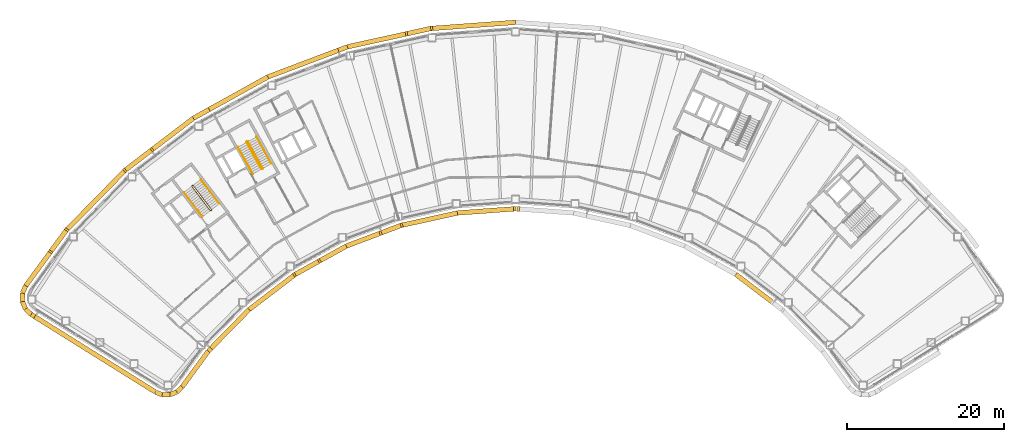
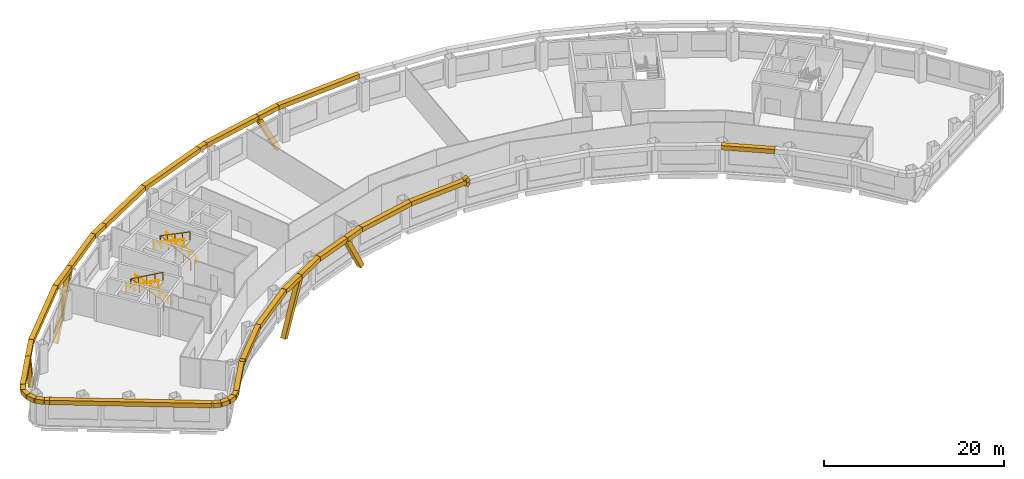
# One storey, part 11 of 13: 40 coverings, 6 railings.
"""IFC4 building model written with IfcOpenShell, lengths in metres."""

from ifc_helpers import new_model, si_unit, direction, frame, origin, origin_2d, place, context, subcontext, project, spatial, rectangle, circle, extrude, material, material_profile, profile_set, type_object, element, save


model = new_model("IFC4")

# Units and contexts
model_context = context("Model", 3, precision=1e-05, world=origin(), true_north=direction((0.0, 1.0)))
body_context = subcontext(model_context, "Body", "Model", "MODEL_VIEW")
ifc_project = project(units=[si_unit("LENGTHUNIT", "METRE"), si_unit("AREAUNIT", "SQUARE_METRE"), si_unit("VOLUMEUNIT", "CUBIC_METRE"), si_unit("PLANEANGLEUNIT", "RADIAN"), si_unit("MASSUNIT", "GRAM", prefix="KILO")], contexts=[model_context])

# Site, building, storey
site_placement = place(None, origin())
site = spatial("IfcSite", under=ifc_project, at=site_placement, CompositionType="ELEMENT")
building_placement = place(site_placement, origin())
building = spatial("IfcBuilding", under=site, at=building_placement, Name="Tuul Gate Civic Tower", CompositionType="ELEMENT")
storey_placement = place(building_placement, frame((0.0, 0.0, 150.800048828125)))
storey = spatial("IfcBuildingStorey", under=building, at=storey_placement, Name="Level 34", CompositionType="ELEMENT", Elevation=150.800048828125)

# Railings
ifc_material_1 = material(Name="Painted steel", Category="steel")
railing_type_1 = type_object("IfcRailingType", Name="Stair guard", PredefinedType="GUARDRAIL", material=ifc_material_1)
railing_1_placement = place(storey_placement, frame((-33.382080078125, -13.515380859375, 0.0)))
element("IfcRailing", 1, at=railing_1_placement, inside=storey, type_object=railing_type_1, Name="Level 34 ST-1 stair guard 1", PredefinedType="GUARDRAIL", context=body_context, shape_type="SweptSolid", body=[
    extrude(circle(Radius=0.02392578125, at=origin_2d()), frame((0.0, 0.0, 1.076171875), z_axis=(-0.795879841968, -0.605454603706, 0.0), x_axis=(0.605454603706, -0.795879841968, 0.0)), (0.0, 0.0, 1.0), 0.10009765625),
    extrude(circle(Radius=0.02392578125, at=origin_2d()), frame((-0.07958984375, -0.060546875, 1.076171875), z_axis=(0.408991890351, 0.599481263939, 0.688002796371), x_axis=(-0.826063974707, 0.563576356576, 0.0)), (0.0, 0.0, 1.0), 0.2177734375),
    extrude(circle(Radius=0.02392578125, at=origin_2d()), frame((0.009521484375, 0.070068359375, 1.22607421875), z_axis=(-0.541824460341, 0.711645023348, 0.447199748346), x_axis=(-0.795637165283, -0.60577347352, 0.0)), (0.0, 0.0, 1.0), 4.3603515625),
    extrude(circle(Radius=0.02392578125, at=origin_2d()), frame((-2.35302734375, 3.173095703125, 3.17578125), z_axis=(-0.990893089246, 0.134650977284, 0.0), x_axis=(-0.134650977284, -0.990893089246, 0.0)), (0.0, 0.0, 1.0), 0.07080078125),
    extrude(circle(Radius=0.02392578125, at=origin_2d()), frame((-2.423095703125, 3.1826171875, 3.17578125), z_axis=(-0.793802879778, -0.60817512943, 0.0), x_axis=(0.60817512943, -0.793802879778, 0.0)), (0.0, 0.0, 1.0), 0.099853515625),
    extrude(circle(Radius=0.02392578125, at=origin_2d()), frame((-2.50244140625, 3.121826171875, 3.17578125), z_axis=(-0.057370624079, -0.422188951554, 0.904690610473), x_axis=(0.990893089246, -0.134650977284, 0.0)), (0.0, 0.0, 1.0), 0.166015625),
    extrude(circle(Radius=0.02392578125, at=origin_2d()), frame((-2.511962890625, 3.0517578125, 3.326171875), z_axis=(0.541806494602, -0.71163897684, 0.447231136047), x_axis=(0.795644365679, 0.605764016233, 0.0)), (0.0, 0.0, 1.0), 4.360107421875),
    extrude(circle(Radius=0.02099609375, at=origin_2d()), origin(), (0.0, 0.0, 1.0), 1.052001953125),
    extrude(circle(Radius=0.02099609375, at=origin_2d()), frame((-0.07958984375, -0.060546875, 0.0)), (0.0, 0.0, 1.0), 1.052001953125),
    extrude(circle(Radius=0.02099609375, at=origin_2d()), frame((0.009521484375, 0.070068359375, 0.14990234375)), (0.0, 0.0, 1.0), 1.052001953125),
    extrude(circle(Radius=0.02099609375, at=origin_2d()), frame((-0.5810546875, 0.845703125, 0.637451171875)), (0.0, 0.0, 1.0), 1.052001953125),
    extrude(circle(Radius=0.02099609375, at=origin_2d()), frame((-1.171875, 1.62158203125, 1.125)), (0.0, 0.0, 1.0), 1.052001953125),
    extrude(circle(Radius=0.02099609375, at=origin_2d()), frame((-1.762451171875, 2.3974609375, 1.6123046875)), (0.0, 0.0, 1.0), 1.052001953125),
    extrude(circle(Radius=0.02099609375, at=origin_2d()), frame((-2.35302734375, 3.173095703125, 2.099853515625)), (0.0, 0.0, 1.0), 1.052001953125),
    extrude(circle(Radius=0.02099609375, at=origin_2d()), frame((-2.423095703125, 3.1826171875, 2.099853515625)), (0.0, 0.0, 1.0), 1.052001953125),
    extrude(circle(Radius=0.02099609375, at=origin_2d()), frame((-2.50244140625, 3.121826171875, 2.099853515625)), (0.0, 0.0, 1.0), 1.052001953125),
    extrude(circle(Radius=0.02099609375, at=origin_2d()), frame((-2.511962890625, 3.0517578125, 2.25)), (0.0, 0.0, 1.0), 1.052001953125),
    extrude(circle(Radius=0.02099609375, at=origin_2d()), frame((-1.92138671875, 2.276123046875, 2.737548828125)), (0.0, 0.0, 1.0), 1.052001953125),
    extrude(circle(Radius=0.02099609375, at=origin_2d()), frame((-1.330810546875, 1.50048828125, 3.22509765625)), (0.0, 0.0, 1.0), 1.052001953125),
    extrude(circle(Radius=0.02099609375, at=origin_2d()), frame((-0.740234375, 0.724609375, 3.71240234375)), (0.0, 0.0, 1.0), 1.052001953125),
    extrude(circle(Radius=0.02099609375, at=origin_2d()), frame((-0.149658203125, -0.051025390625, 4.199951171875)), (0.0, 0.0, 1.0), 1.052001953125),
])
railing_2_placement = place(storey_placement, frame((-26.857666015625, -8.247314453125, 0.0)))
element("IfcRailing", 2, at=railing_2_placement, inside=storey, type_object=railing_type_1, Name="Level 34 ST-2 stair guard 1", PredefinedType="GUARDRAIL", context=body_context, shape_type="SweptSolid", body=[
    extrude(circle(Radius=0.02392578125, at=origin_2d()), frame((0.0, 0.0, 1.076171875), z_axis=(-0.874616555828, -0.48481530532, 0.0), x_axis=(0.48481530532, -0.874616555828, 0.0)), (0.0, 0.0, 1.0), 0.10009765625),
    extrude(circle(Radius=0.02392578125, at=origin_2d()), frame((-0.087646484375, -0.048583984375, 1.076171875), z_axis=(0.49081399482, 0.534516610797, 0.688036056665), x_axis=(-0.736576986774, 0.676353711126, 0.0)), (0.0, 0.0, 1.0), 0.2177734375),
    extrude(circle(Radius=0.02392578125, at=origin_2d()), frame((0.019287109375, 0.06787109375, 1.22607421875), z_axis=(-0.43354991378, 0.782327185242, 0.447212083348), x_axis=(-0.874667644053, -0.484723129681, 0.0)), (0.0, 0.0, 1.0), 4.3603515625),
    extrude(circle(Radius=0.02392578125, at=origin_2d()), frame((-1.87109375, 3.47900390625, 3.17578125), z_axis=(-0.961263487578, 0.275631107549, 0.0), x_axis=(-0.275631107549, -0.961263487578, 0.0)), (0.0, 0.0, 1.0), 0.07080078125),
    extrude(circle(Radius=0.02392578125, at=origin_2d()), frame((-1.939208984375, 3.49853515625, 3.17578125), z_axis=(-0.874042088414, -0.485850211157, 0.0), x_axis=(0.485850211157, -0.874042088414, 0.0)), (0.0, 0.0, 1.0), 0.10009765625),
    extrude(circle(Radius=0.02392578125, at=origin_2d()), frame((-2.026611328125, 3.449951171875, 3.17578125), z_axis=(-0.117709570447, -0.409040757305, 0.904892322815), x_axis=(0.961000426733, -0.276546885391, 0.0)), (0.0, 0.0, 1.0), 0.166015625),
    extrude(circle(Radius=0.02392578125, at=origin_2d()), frame((-2.046142578125, 3.382080078125, 3.326171875), z_axis=(0.433595379963, -0.782308193291, 0.447201226726), x_axis=(0.874641102302, 0.484771020343, 0.0)), (0.0, 0.0, 1.0), 4.3603515625),
    extrude(circle(Radius=0.02099609375, at=origin_2d()), origin(), (0.0, 0.0, 1.0), 1.052001953125),
    extrude(circle(Radius=0.02099609375, at=origin_2d()), frame((-0.087646484375, -0.048583984375, 0.0)), (0.0, 0.0, 1.0), 1.052001953125),
    extrude(circle(Radius=0.02099609375, at=origin_2d()), frame((0.019287109375, 0.06787109375, 0.14990234375)), (0.0, 0.0, 1.0), 1.052001953125),
    extrude(circle(Radius=0.02099609375, at=origin_2d()), frame((-0.453369140625, 0.920654296875, 0.637451171875)), (0.0, 0.0, 1.0), 1.052001953125),
    extrude(circle(Radius=0.02099609375, at=origin_2d()), frame((-0.92578125, 1.7734375, 1.125)), (0.0, 0.0, 1.0), 1.052001953125),
    extrude(circle(Radius=0.02099609375, at=origin_2d()), frame((-1.3984375, 2.626220703125, 1.6123046875)), (0.0, 0.0, 1.0), 1.052001953125),
    extrude(circle(Radius=0.02099609375, at=origin_2d()), frame((-1.87109375, 3.47900390625, 2.099853515625)), (0.0, 0.0, 1.0), 1.052001953125),
    extrude(circle(Radius=0.02099609375, at=origin_2d()), frame((-1.939208984375, 3.49853515625, 2.099853515625)), (0.0, 0.0, 1.0), 1.052001953125),
    extrude(circle(Radius=0.02099609375, at=origin_2d()), frame((-2.026611328125, 3.449951171875, 2.099853515625)), (0.0, 0.0, 1.0), 1.052001953125),
    extrude(circle(Radius=0.02099609375, at=origin_2d()), frame((-2.046142578125, 3.382080078125, 2.25)), (0.0, 0.0, 1.0), 1.052001953125),
    extrude(circle(Radius=0.02099609375, at=origin_2d()), frame((-1.573486328125, 2.529296875, 2.737548828125)), (0.0, 0.0, 1.0), 1.052001953125),
    extrude(circle(Radius=0.02099609375, at=origin_2d()), frame((-1.100830078125, 1.676513671875, 3.22509765625)), (0.0, 0.0, 1.0), 1.052001953125),
    extrude(circle(Radius=0.02099609375, at=origin_2d()), frame((-0.628173828125, 0.82373046875, 3.71240234375)), (0.0, 0.0, 1.0), 1.052001953125),
    extrude(circle(Radius=0.02099609375, at=origin_2d()), frame((-0.155517578125, -0.029052734375, 4.199951171875)), (0.0, 0.0, 1.0), 1.052001953125),
])
ifc_material_2 = material(Name="Painted steel", Category="steel")
railing_type_2 = type_object("IfcRailingType", Name="Stair handrail", PredefinedType="HANDRAIL", material=ifc_material_2)
railing_3_placement = place(storey_placement, frame((-32.3779296875, -12.688232421875, 0.14990234375)))
element("IfcRailing", 3, at=railing_3_placement, inside=storey, type_object=railing_type_2, Name="Level 34 ST-1 stair handrail 1", PredefinedType="HANDRAIL", context=body_context, shape_type="SweptSolid", body=[
    extrude(circle(Radius=0.02392578125, at=origin_2d()), frame((0.0, 0.0, 0.8759765625), z_axis=(-0.541824460341, 0.711645023348, 0.447199748346), x_axis=(-0.795637165283, -0.60577347352, 0.0)), (0.0, 0.0, 1.0), 4.3603515625),
    extrude(circle(Radius=0.02099609375, at=origin_2d()), origin(), (0.0, 0.0, 1.0), 0.851806640625),
    extrude(circle(Radius=0.02099609375, at=origin_2d()), frame((-0.590576171875, 0.77587890625, 0.487548828125)), (0.0, 0.0, 1.0), 0.851806640625),
    extrude(circle(Radius=0.02099609375, at=origin_2d()), frame((-1.18115234375, 1.551513671875, 0.97509765625)), (0.0, 0.0, 1.0), 0.851806640625),
    extrude(circle(Radius=0.02099609375, at=origin_2d()), frame((-1.77197265625, 2.3271484375, 1.46240234375)), (0.0, 0.0, 1.0), 0.851806640625),
    extrude(circle(Radius=0.02099609375, at=origin_2d()), frame((-2.362548828125, 3.10302734375, 1.949951171875)), (0.0, 0.0, 1.0), 0.851806640625),
])
railing_4_placement = place(storey_placement, frame((-36.888671875, -11.220703125, 2.25)))
element("IfcRailing", 4, at=railing_4_placement, inside=storey, type_object=railing_type_2, Name="Level 34 ST-1 stair handrail 2", PredefinedType="HANDRAIL", context=body_context, shape_type="SweptSolid", body=[
    extrude(circle(Radius=0.02392578125, at=origin_2d()), frame((0.0, 0.0, 0.8759765625), z_axis=(0.541824460341, -0.711645023348, 0.447199748346), x_axis=(0.795637165283, 0.60577347352, 0.0)), (0.0, 0.0, 1.0), 4.3603515625),
    extrude(circle(Radius=0.02099609375, at=origin_2d()), origin(), (0.0, 0.0, 1.0), 0.851806640625),
    extrude(circle(Radius=0.02099609375, at=origin_2d()), frame((0.590576171875, -0.77587890625, 0.487548828125)), (0.0, 0.0, 1.0), 0.851806640625),
    extrude(circle(Radius=0.02099609375, at=origin_2d()), frame((1.18115234375, -1.551513671875, 0.97509765625)), (0.0, 0.0, 1.0), 0.851806640625),
    extrude(circle(Radius=0.02099609375, at=origin_2d()), frame((1.77197265625, -2.3271484375, 1.46240234375)), (0.0, 0.0, 1.0), 0.851806640625),
    extrude(circle(Radius=0.02099609375, at=origin_2d()), frame((2.362548828125, -3.10302734375, 1.949951171875)), (0.0, 0.0, 1.0), 0.851806640625),
])
railing_5_placement = place(storey_placement, frame((-25.744873046875, -7.573486328125, 0.14990234375)))
element("IfcRailing", 5, at=railing_5_placement, inside=storey, type_object=railing_type_2, Name="Level 34 ST-2 stair handrail 1", PredefinedType="HANDRAIL", context=body_context, shape_type="SweptSolid", body=[
    extrude(circle(Radius=0.02392578125, at=origin_2d()), frame((0.0, 0.0, 0.8759765625), z_axis=(-0.433595379963, 0.782308193291, 0.447201226726), x_axis=(-0.874641102302, -0.484771020343, 0.0)), (0.0, 0.0, 1.0), 4.3603515625),
    extrude(circle(Radius=0.02099609375, at=origin_2d()), origin(), (0.0, 0.0, 1.0), 0.851806640625),
    extrude(circle(Radius=0.02099609375, at=origin_2d()), frame((-0.47265625, 0.852783203125, 0.487548828125)), (0.0, 0.0, 1.0), 0.851806640625),
    extrude(circle(Radius=0.02099609375, at=origin_2d()), frame((-0.9453125, 1.70556640625, 0.97509765625)), (0.0, 0.0, 1.0), 0.851806640625),
    extrude(circle(Radius=0.02099609375, at=origin_2d()), frame((-1.41796875, 2.558349609375, 1.46240234375)), (0.0, 0.0, 1.0), 0.851806640625),
    extrude(circle(Radius=0.02099609375, at=origin_2d()), frame((-1.890625, 3.4111328125, 1.949951171875)), (0.0, 0.0, 1.0), 0.851806640625),
])
railing_6_placement = place(storey_placement, frame((-29.9970703125, -5.47119140625, 2.25)))
element("IfcRailing", 6, at=railing_6_placement, inside=storey, type_object=railing_type_2, Name="Level 34 ST-2 stair handrail 2", PredefinedType="HANDRAIL", context=body_context, shape_type="SweptSolid", body=[
    extrude(circle(Radius=0.02392578125, at=origin_2d()), frame((0.0, 0.0, 0.8759765625), z_axis=(0.433595379963, -0.782308193291, 0.447201226726), x_axis=(0.874641102302, 0.484771020343, 0.0)), (0.0, 0.0, 1.0), 4.3603515625),
    extrude(circle(Radius=0.02099609375, at=origin_2d()), origin(), (0.0, 0.0, 1.0), 0.851806640625),
    extrude(circle(Radius=0.02099609375, at=origin_2d()), frame((0.47265625, -0.852783203125, 0.487548828125)), (0.0, 0.0, 1.0), 0.851806640625),
    extrude(circle(Radius=0.02099609375, at=origin_2d()), frame((0.9453125, -1.70556640625, 0.97509765625)), (0.0, 0.0, 1.0), 0.851806640625),
    extrude(circle(Radius=0.02099609375, at=origin_2d()), frame((1.41796875, -2.558349609375, 1.46240234375)), (0.0, 0.0, 1.0), 0.851806640625),
    extrude(circle(Radius=0.02099609375, at=origin_2d()), frame((1.890625, -3.4111328125, 1.949951171875)), (0.0, 0.0, 1.0), 0.851806640625),
])

# Coverings
ifc_material_3 = material(Name="Terracotta baguette", Category="masonry")
ifc_material_profile = material_profile(ifc_material_3, rectangle(XDim=0.60009765625, YDim=0.60009765625, at=origin_2d()), Name="Terracotta baguette screen frame")
ifc_profile_set = profile_set([ifc_material_profile], Name="Terracotta baguette")
covering_type = type_object("IfcCoveringType", Name="Terracotta baguette screen frame", PredefinedType="CLADDING", material=ifc_profile_set)
covering_1_placement = place(storey_placement, frame((-5.448486328125, 9.651123046875, -1.755859375), z_axis=(-0.46403186969, -0.102279383946, 0.879893943343), x_axis=(0.21524792572, -0.976559435198, 0.0)))
element("IfcCovering", 7, at=covering_1_placement, inside=storey, type_object=covering_type, Name="Baguette 82", PredefinedType="CLADDING", context=body_context, shape_type="SweptSolid", body=[
    extrude(rectangle(XDim=0.60009765625, YDim=0.60009765625, at=origin_2d()), origin(), (0.0, 0.0, 1.0), 6.370849609375),
])
covering_2_placement = place(storey_placement, frame((-8.40478515625, 8.99951171875, 3.849853515625), z_axis=(-0.97656661245, -0.215215360623, 0.0), x_axis=(0.215215360623, -0.97656661245, 0.0)))
element("IfcCovering", 8, at=covering_2_placement, inside=storey, type_object=covering_type, Name="Baguette 89", PredefinedType="CLADDING", context=body_context, shape_type="SweptSolid", body=[
    extrude(rectangle(XDim=0.60009765625, YDim=0.60009765625, at=origin_2d()), origin(), (0.0, 0.0, 1.0), 7.823974609375),
])
covering_3_placement = place(storey_placement, frame((-16.04541015625, 7.315673828125, 3.849853515625), z_axis=(-0.935336979546, -0.353758017144, 0.0), x_axis=(0.353758017144, -0.935336979546, 0.0)))
element("IfcCovering", 9, at=covering_3_placement, inside=storey, type_object=covering_type, Name="Baguette 90", PredefinedType="CLADDING", context=body_context, shape_type="SweptSolid", body=[
    extrude(rectangle(XDim=0.60009765625, YDim=0.60009765625, at=origin_2d()), origin(), (0.0, 0.0, 1.0), 1.24853515625),
])
covering_4_placement = place(storey_placement, frame((-33.666259765625, -0.663818359375, 3.849853515625), z_axis=(-0.874610686965, -0.484825892714, 0.0), x_axis=(0.484825892714, -0.874610686965, 0.0)))
element("IfcCovering", 10, at=covering_4_placement, inside=storey, type_object=covering_type, Name="Baguette 107", PredefinedType="CLADDING", context=body_context, shape_type="SweptSolid", body=[
    extrude(rectangle(XDim=0.60009765625, YDim=0.60009765625, at=origin_2d()), origin(), (0.0, 0.0, 1.0), 2.309326171875),
])
covering_5_placement = place(storey_placement, frame((-35.68603515625, -1.783447265625, 3.849853515625), z_axis=(-0.795612332885, -0.60580608759, 0.0), x_axis=(0.60580608759, -0.795612332885, 0.0)))
element("IfcCovering", 11, at=covering_5_placement, inside=storey, type_object=covering_type, Name="Baguette 108", PredefinedType="CLADDING", context=body_context, shape_type="SweptSolid", body=[
    extrude(rectangle(XDim=0.60009765625, YDim=0.60009765625, at=origin_2d()), origin(), (0.0, 0.0, 1.0), 6.76318359375),
])
covering_6_placement = place(storey_placement, frame((-41.06689453125, -5.880615234375, 3.849853515625), z_axis=(-0.378058377927, -0.287849897598, -0.879894481931), x_axis=(0.605784088949, -0.795629082913, 0.0)))
element("IfcCovering", 12, at=covering_6_placement, inside=storey, type_object=covering_type, Name="Baguette 111", PredefinedType="CLADDING", context=body_context, shape_type="SweptSolid", body=[
    extrude(rectangle(XDim=0.60009765625, YDim=0.60009765625, at=origin_2d()), origin(), (0.0, 0.0, 1.0), 8.603759765625),
])
covering_7_placement = place(storey_placement, frame((-51.91552734375, -16.105712890625, -2.086669921875), z_axis=(-0.281344187789, -0.385257926213, 0.878875291659), x_axis=(0.807581260464, -0.589756312173, 0.0)))
element("IfcCovering", 13, at=covering_7_placement, inside=storey, type_object=covering_type, Name="Baguette 124", PredefinedType="CLADDING", context=body_context, shape_type="SweptSolid", body=[
    extrude(rectangle(XDim=0.60009765625, YDim=0.60009765625, at=origin_2d()), origin(), (0.0, 0.0, 1.0), 6.754638671875),
])
covering_8_placement = place(storey_placement, frame((-53.81591796875, -18.7080078125, 3.849853515625), z_axis=(-0.589768947731, -0.807572032881, 0.0), x_axis=(0.807572032881, -0.589768947731, 0.0)))
element("IfcCovering", 14, at=covering_8_placement, inside=storey, type_object=covering_type, Name="Baguette 135", PredefinedType="CLADDING", context=body_context, shape_type="SweptSolid", body=[
    extrude(rectangle(XDim=0.60009765625, YDim=0.60009765625, at=origin_2d()), origin(), (0.0, 0.0, 1.0), 5.5126953125),
])
covering_9_placement = place(storey_placement, frame((-57.067138671875, -23.159912109375, 3.849853515625), z_axis=(-0.413393330634, -0.910552554325, 0.0), x_axis=(0.910552554325, -0.413393330634, 0.0)))
element("IfcCovering", 15, at=covering_9_placement, inside=storey, type_object=covering_type, Name="Baguette 136", PredefinedType="CLADDING", context=body_context, shape_type="SweptSolid", body=[
    extrude(rectangle(XDim=0.60009765625, YDim=0.60009765625, at=origin_2d()), origin(), (0.0, 0.0, 1.0), 0.988037109375),
])
covering_10_placement = place(storey_placement, frame((-57.4755859375, -24.0595703125, 3.849853515625), z_axis=(-0.014633694716, -0.999892921757, 0.0), x_axis=(0.999892921757, -0.014633694716, 0.0)))
element("IfcCovering", 16, at=covering_10_placement, inside=storey, type_object=covering_type, Name="Baguette 137", PredefinedType="CLADDING", context=body_context, shape_type="SweptSolid", body=[
    extrude(rectangle(XDim=0.60009765625, YDim=0.60009765625, at=origin_2d()), origin(), (0.0, 0.0, 1.0), 1.067626953125),
])
covering_11_placement = place(storey_placement, frame((-57.4912109375, -25.127197265625, 3.849853515625), z_axis=(0.385784883999, -0.922588761734, 0.0), x_axis=(0.922588761734, 0.385784883999, 0.0)))
element("IfcCovering", 17, at=covering_11_placement, inside=storey, type_object=covering_type, Name="Baguette 138", PredefinedType="CLADDING", context=body_context, shape_type="SweptSolid", body=[
    extrude(rectangle(XDim=0.60009765625, YDim=0.60009765625, at=origin_2d()), origin(), (0.0, 0.0, 1.0), 1.06689453125),
])
covering_12_placement = place(storey_placement, frame((-57.07958984375, -26.111572265625, 3.849853515625), z_axis=(0.722137314744, -0.691749737011, 0.0), x_axis=(0.691749737011, 0.722137314744, 0.0)))
element("IfcCovering", 18, at=covering_12_placement, inside=storey, type_object=covering_type, Name="Baguette 139", PredefinedType="CLADDING", context=body_context, shape_type="SweptSolid", body=[
    extrude(rectangle(XDim=0.60009765625, YDim=0.60009765625, at=origin_2d()), origin(), (0.0, 0.0, 1.0), 0.98828125),
])
covering_13_placement = place(storey_placement, frame((-56.365966796875, -26.795166015625, 3.849853515625), z_axis=(0.84817691288, -0.529713058606, 0.0), x_axis=(0.529713058606, 0.84817691288, 0.0)))
element("IfcCovering", 19, at=covering_13_placement, inside=storey, type_object=covering_type, Name="Baguette 140", PredefinedType="CLADDING", context=body_context, shape_type="SweptSolid", body=[
    extrude(rectangle(XDim=0.60009765625, YDim=0.60009765625, at=origin_2d()), origin(), (0.0, 0.0, 1.0), 0.537353515625),
])
covering_14_placement = place(storey_placement, frame((-40.5107421875, -36.702392578125, 3.849853515625), z_axis=(0.93189278144, -0.362733847194, 0.0), x_axis=(0.362733847194, 0.93189278144, 0.0)))
element("IfcCovering", 20, at=covering_14_placement, inside=storey, type_object=covering_type, Name="Baguette 165", PredefinedType="CLADDING", context=body_context, shape_type="SweptSolid", body=[
    extrude(rectangle(XDim=0.60009765625, YDim=0.60009765625, at=origin_2d()), origin(), (0.0, 0.0, 1.0), 0.901123046875),
])
covering_15_placement = place(storey_placement, frame((-39.6708984375, -37.029296875, 3.849853515625), z_axis=(0.999996192163, 0.002759648297, 0.0), x_axis=(-0.002759648297, 0.999996192163, 0.0)))
element("IfcCovering", 21, at=covering_15_placement, inside=storey, type_object=covering_type, Name="Baguette 166", PredefinedType="CLADDING", context=body_context, shape_type="SweptSolid", body=[
    extrude(rectangle(XDim=0.60009765625, YDim=0.60009765625, at=origin_2d()), origin(), (0.0, 0.0, 1.0), 0.97314453125),
])
covering_16_placement = place(storey_placement, frame((-38.69775390625, -37.026611328125, 3.849853515625), z_axis=(0.929647485715, 0.36845020329, 0.0), x_axis=(-0.36845020329, 0.929647485715, 0.0)))
element("IfcCovering", 22, at=covering_16_placement, inside=storey, type_object=covering_type, Name="Baguette 167", PredefinedType="CLADDING", context=body_context, shape_type="SweptSolid", body=[
    extrude(rectangle(XDim=0.60009765625, YDim=0.60009765625, at=origin_2d()), origin(), (0.0, 0.0, 1.0), 0.97412109375),
])
covering_17_placement = place(storey_placement, frame((-37.792236328125, -36.667724609375, 3.849853515625), z_axis=(0.730001285686, 0.683445771731, 0.0), x_axis=(-0.683445771731, 0.730001285686, 0.0)))
element("IfcCovering", 23, at=covering_17_placement, inside=storey, type_object=covering_type, Name="Baguette 168", PredefinedType="CLADDING", context=body_context, shape_type="SweptSolid", body=[
    extrude(rectangle(XDim=0.60009765625, YDim=0.60009765625, at=origin_2d()), origin(), (0.0, 0.0, 1.0), 0.902099609375),
])
covering_18_placement = place(storey_placement, frame((-37.1337890625, -36.05126953125, 3.849853515625), z_axis=(0.589729447422, 0.807600878432, 0.0), x_axis=(-0.807600878432, 0.589729447422, 0.0)))
element("IfcCovering", 24, at=covering_18_placement, inside=storey, type_object=covering_type, Name="Baguette 169", PredefinedType="CLADDING", context=body_context, shape_type="SweptSolid", body=[
    extrude(rectangle(XDim=0.60009765625, YDim=0.60009765625, at=origin_2d()), origin(), (0.0, 0.0, 1.0), 5.671142578125),
])
covering_19_placement = place(storey_placement, frame((-33.789306640625, -31.47119140625, 3.849853515625), z_axis=(0.69989931795, 0.714241517088, 0.0), x_axis=(-0.714241517088, 0.69989931795, 0.0)))
element("IfcCovering", 25, at=covering_19_placement, inside=storey, type_object=covering_type, Name="Baguette 170", PredefinedType="CLADDING", context=body_context, shape_type="SweptSolid", body=[
    extrude(rectangle(XDim=0.60009765625, YDim=0.60009765625, at=origin_2d()), origin(), (0.0, 0.0, 1.0), 0.5107421875),
])
covering_20_placement = place(storey_placement, frame((-22.69482421875, -21.6796875, -2.562255859375), z_axis=(0.407693107451, 0.225994634214, 0.884710548962), x_axis=(-0.484820540629, 0.874613653783, 0.0)))
element("IfcCovering", 26, at=covering_20_placement, inside=storey, type_object=covering_type, Name="Baguette 189", PredefinedType="CLADDING", context=body_context, shape_type="SweptSolid", body=[
    extrude(rectangle(XDim=0.60009765625, YDim=0.60009765625, at=origin_2d()), origin(), (0.0, 0.0, 1.0), 7.247802734375),
])
covering_21_placement = place(storey_placement, frame((-19.739990234375, -20.041748046875, 3.849853515625), z_axis=(0.874618697284, 0.484811442069, 0.0), x_axis=(-0.484811442069, 0.874618697284, 0.0)))
element("IfcCovering", 27, at=covering_21_placement, inside=storey, type_object=covering_type, Name="Baguette 196", PredefinedType="CLADDING", context=body_context, shape_type="SweptSolid", body=[
    extrude(rectangle(XDim=0.60009765625, YDim=0.60009765625, at=origin_2d()), origin(), (0.0, 0.0, 1.0), 4.039794921875),
])
covering_22_placement = place(storey_placement, frame((-16.206787109375, -18.083251953125, 3.849853515625), z_axis=(0.935356130201, 0.353707378628, 0.0), x_axis=(-0.353707378628, 0.935356130201, 0.0)))
element("IfcCovering", 28, at=covering_22_placement, inside=storey, type_object=covering_type, Name="Baguette 197", PredefinedType="CLADDING", context=body_context, shape_type="SweptSolid", body=[
    extrude(rectangle(XDim=0.60009765625, YDim=0.60009765625, at=origin_2d()), origin(), (0.0, 0.0, 1.0), 4.812255859375),
])
covering_23_placement = place(storey_placement, frame((-11.70556640625, -16.381103515625, 3.849853515625), z_axis=(0.436037648958, 0.16485735195, -0.884699509551), x_axis=(-0.353648388587, 0.935378435314, 0.0)))
element("IfcCovering", 29, at=covering_23_placement, inside=storey, type_object=covering_type, Name="Baguette 200", PredefinedType="CLADDING", context=body_context, shape_type="SweptSolid", body=[
    extrude(rectangle(XDim=0.60009765625, YDim=0.60009765625, at=origin_2d()), origin(), (0.0, 0.0, 1.0), 5.589111328125),
])
for number, where, z_axis, x_axis, name in (
    (30, (5.3740234375, -13.326904296875, 3.35107421875), (0.464712879326, -0.03378155134, 0.884816787012), (0.072502073076, 0.997368261677, 0.0), "Baguette 215"),
    (31, (5.3740234375, -13.326904296875, 4.3486328125), (0.464712879326, -0.03378155134, -0.884816787012), (0.072502073076, 0.997368261677, 0.0), "Baguette 217"),
):
    element("IfcCovering", number, at=place(storey_placement, frame(where, z_axis=z_axis, x_axis=x_axis)), inside=storey, type_object=covering_type, Name=name, PredefinedType="CLADDING", context=body_context, shape_type="SweptSolid", body=[
        extrude(rectangle(XDim=0.60009765625, YDim=0.60009765625, at=origin_2d()), origin(), (0.0, 0.0, 1.0), 0.563720703125),
    ])
covering_24_placement = place(storey_placement, frame((33.44287109375, -21.6796875, 3.849853515625), z_axis=(0.795578368083, -0.605850691373, 0.0), x_axis=(0.605850691373, 0.795578368083, 0.0)))
element("IfcCovering", 32, at=covering_24_placement, inside=storey, type_object=covering_type, Name="Baguette 243", PredefinedType="CLADDING", context=body_context, shape_type="SweptSolid", body=[
    extrude(rectangle(XDim=0.60009765625, YDim=0.60009765625, at=origin_2d()), origin(), (0.0, 0.0, 1.0), 5.9990234375),
])
covering_25_placement = place(storey_placement, frame((5.3740234375, 10.43505859375, 3.849853515625), z_axis=(-0.997386817082, -0.072246363998, 0.0), x_axis=(0.072246363998, -0.997386817082, 0.0)))
element("IfcCovering", 33, at=covering_25_placement, inside=storey, type_object=covering_type, Name="Baguette 306", PredefinedType="CLADDING", context=body_context, shape_type="SweptSolid", body=[
    extrude(rectangle(XDim=0.60009765625, YDim=0.60009765625, at=origin_2d()), origin(), (0.0, 0.0, 1.0), 10.850830078125),
])
covering_26_placement = place(storey_placement, frame((-5.448486328125, 9.651123046875, 3.849853515625), z_axis=(-0.976559435198, -0.21524792572, 0.0), x_axis=(0.21524792572, -0.976559435198, 0.0)))
element("IfcCovering", 34, at=covering_26_placement, inside=storey, type_object=covering_type, Name="Baguette 307", PredefinedType="CLADDING", context=body_context, shape_type="SweptSolid", body=[
    extrude(rectangle(XDim=0.60009765625, YDim=0.60009765625, at=origin_2d()), origin(), (0.0, 0.0, 1.0), 3.02734375),
])
covering_27_placement = place(storey_placement, frame((-17.213134765625, 6.8740234375, 3.849853515625), z_axis=(-0.935349696877, -0.353724390667, 0.0), x_axis=(0.353724390667, -0.935349696877, 0.0)))
element("IfcCovering", 35, at=covering_27_placement, inside=storey, type_object=covering_type, Name="Baguette 311", PredefinedType="CLADDING", context=body_context, shape_type="SweptSolid", body=[
    extrude(rectangle(XDim=0.60009765625, YDim=0.60009765625, at=origin_2d()), origin(), (0.0, 0.0, 1.0), 9.602783203125),
])
covering_28_placement = place(storey_placement, frame((-26.195068359375, 3.477294921875, 3.849853515625), z_axis=(-0.874631408873, -0.48478850916, 0.0), x_axis=(0.48478850916, -0.874631408873, 0.0)))
element("IfcCovering", 36, at=covering_28_placement, inside=storey, type_object=covering_type, Name="Baguette 312", PredefinedType="CLADDING", context=body_context, shape_type="SweptSolid", body=[
    extrude(rectangle(XDim=0.60009765625, YDim=0.60009765625, at=origin_2d()), origin(), (0.0, 0.0, 1.0), 8.5419921875),
])
covering_29_placement = place(storey_placement, frame((-41.06689453125, -5.880615234375, 3.849853515625), z_axis=(-0.795629082913, -0.605784088949, 0.0), x_axis=(0.605784088949, -0.795629082913, 0.0)))
element("IfcCovering", 37, at=covering_29_placement, inside=storey, type_object=covering_type, Name="Baguette 319", PredefinedType="CLADDING", context=body_context, shape_type="SweptSolid", body=[
    extrude(rectangle(XDim=0.60009765625, YDim=0.60009765625, at=origin_2d()), origin(), (0.0, 0.0, 1.0), 4.088134765625),
])
covering_30_placement = place(storey_placement, frame((-44.319580078125, -8.357177734375, 3.849853515625), z_axis=(-0.700040591401, -0.714103053061, 0.0), x_axis=(0.714103053061, -0.700040591401, 0.0)))
element("IfcCovering", 38, at=covering_30_placement, inside=storey, type_object=covering_type, Name="Baguette 320", PredefinedType="CLADDING", context=body_context, shape_type="SweptSolid", body=[
    extrude(rectangle(XDim=0.60009765625, YDim=0.60009765625, at=origin_2d()), origin(), (0.0, 0.0, 1.0), 10.850830078125),
])
covering_31_placement = place(storey_placement, frame((-51.91552734375, -16.105712890625, 3.849853515625), z_axis=(-0.589756312173, -0.807581260464, 0.0), x_axis=(0.807581260464, -0.589756312173, 0.0)))
element("IfcCovering", 39, at=covering_31_placement, inside=storey, type_object=covering_type, Name="Baguette 321", PredefinedType="CLADDING", context=body_context, shape_type="SweptSolid", body=[
    extrude(rectangle(XDim=0.60009765625, YDim=0.60009765625, at=origin_2d()), origin(), (0.0, 0.0, 1.0), 3.222412109375),
])
covering_32_placement = place(storey_placement, frame((-55.91015625, -27.079833984375, 3.849853515625), z_axis=(0.848049052876, -0.529917733159, 0.0), x_axis=(0.529917733159, 0.848049052876, 0.0)))
element("IfcCovering", 40, at=covering_32_placement, inside=storey, type_object=covering_type, Name="Baguette 329", PredefinedType="CLADDING", context=body_context, shape_type="SweptSolid", body=[
    extrude(rectangle(XDim=0.60009765625, YDim=0.60009765625, at=origin_2d()), origin(), (0.0, 0.0, 1.0), 18.1064453125),
])
covering_33_placement = place(storey_placement, frame((-33.431884765625, -31.1064453125, 3.849853515625), z_axis=(0.700038192613, 0.714105404603, 0.0), x_axis=(-0.714105404603, 0.700038192613, 0.0)))
element("IfcCovering", 41, at=covering_33_placement, inside=storey, type_object=covering_type, Name="Baguette 344", PredefinedType="CLADDING", context=body_context, shape_type="SweptSolid", body=[
    extrude(rectangle(XDim=0.60009765625, YDim=0.60009765625, at=origin_2d()), origin(), (0.0, 0.0, 1.0), 6.907470703125),
])
covering_34_placement = place(storey_placement, frame((-28.596435546875, -26.173828125, 3.849853515625), z_axis=(0.795582797942, 0.60584487422, 0.0), x_axis=(-0.60584487422, 0.795582797942, 0.0)))
element("IfcCovering", 42, at=covering_34_placement, inside=storey, type_object=covering_type, Name="Baguette 345", PredefinedType="CLADDING", context=body_context, shape_type="SweptSolid", body=[
    extrude(rectangle(XDim=0.60009765625, YDim=0.60009765625, at=origin_2d()), origin(), (0.0, 0.0, 1.0), 7.41796875),
])
covering_35_placement = place(storey_placement, frame((-22.69482421875, -21.6796875, 3.849853515625), z_axis=(0.874613653783, 0.484820540629, 0.0), x_axis=(-0.484820540629, 0.874613653783, 0.0)))
element("IfcCovering", 43, at=covering_35_placement, inside=storey, type_object=covering_type, Name="Baguette 346", PredefinedType="CLADDING", context=body_context, shape_type="SweptSolid", body=[
    extrude(rectangle(XDim=0.60009765625, YDim=0.60009765625, at=origin_2d()), origin(), (0.0, 0.0, 1.0), 3.37841796875),
])
covering_36_placement = place(storey_placement, frame((-11.70556640625, -16.381103515625, 3.849853515625), z_axis=(0.935378435314, 0.353648388587, 0.0), x_axis=(-0.353648388587, 0.935378435314, 0.0)))
element("IfcCovering", 44, at=covering_36_placement, inside=storey, type_object=covering_type, Name="Baguette 351", PredefinedType="CLADDING", context=body_context, shape_type="SweptSolid", body=[
    extrude(rectangle(XDim=0.60009765625, YDim=0.60009765625, at=origin_2d()), origin(), (0.0, 0.0, 1.0), 2.60546875),
])
covering_37_placement = place(storey_placement, frame((-9.2685546875, -15.459716796875, 3.849853515625), z_axis=(0.976558886135, 0.215250416748, 0.0), x_axis=(-0.215250416748, 0.976558886135, 0.0)))
element("IfcCovering", 45, at=covering_37_placement, inside=storey, type_object=covering_type, Name="Baguette 352", PredefinedType="CLADDING", context=body_context, shape_type="SweptSolid", body=[
    extrude(rectangle(XDim=0.60009765625, YDim=0.60009765625, at=origin_2d()), origin(), (0.0, 0.0, 1.0), 7.417724609375),
])
covering_38_placement = place(storey_placement, frame((-2.024658203125, -13.863037109375, 3.849853515625), z_axis=(0.997384830366, 0.072273786091, 0.0), x_axis=(-0.072273786091, 0.997384830366, 0.0)))
element("IfcCovering", 46, at=covering_38_placement, inside=storey, type_object=covering_type, Name="Baguette 353", PredefinedType="CLADDING", context=body_context, shape_type="SweptSolid", body=[
    extrude(rectangle(XDim=0.60009765625, YDim=0.60009765625, at=origin_2d()), origin(), (0.0, 0.0, 1.0), 7.41796875),
])

save(model, "model.ifc")
